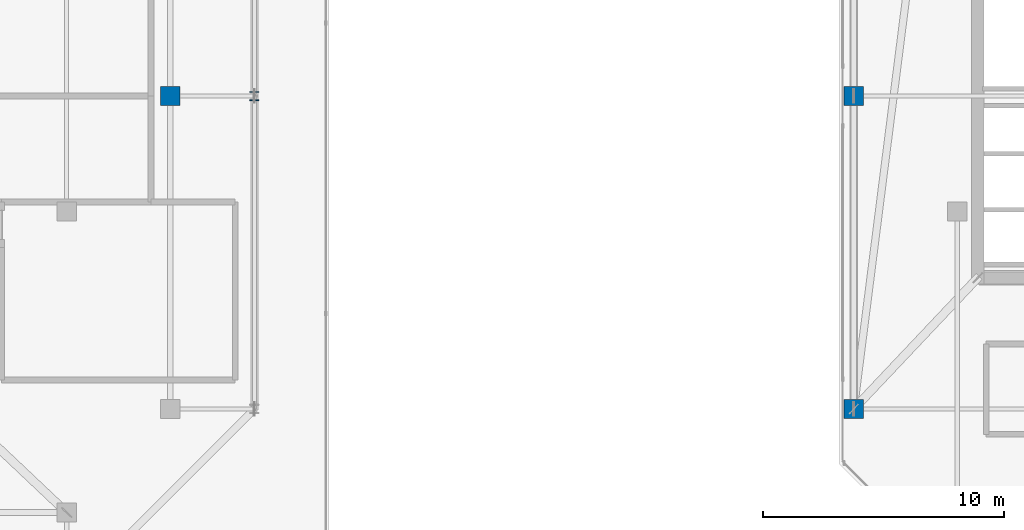
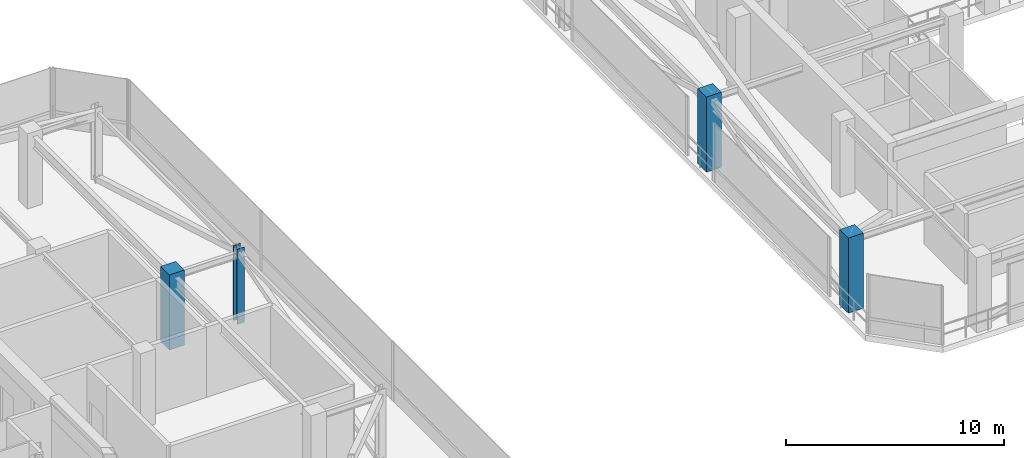
# One storey, part 2 of 47: 4 columns.
"""IFC4 building model written with IfcOpenShell, lengths in metres."""

from ifc_helpers import new_model, si_unit, direction, frame, origin, origin_2d, place, context, subcontext, project, spatial, rectangle, i_section, extrude, material, material_profile, profile_set, type_object, element, save


model = new_model("IFC4")

# Units and contexts
model_context = context("Model", 3, precision=1e-05, world=origin(), true_north=direction((0.0, 1.0)))
body_context = subcontext(model_context, "Body", "Model", "MODEL_VIEW")
ifc_project = project(units=[si_unit("LENGTHUNIT", "METRE"), si_unit("AREAUNIT", "SQUARE_METRE"), si_unit("VOLUMEUNIT", "CUBIC_METRE"), si_unit("PLANEANGLEUNIT", "RADIAN"), si_unit("MASSUNIT", "GRAM", prefix="KILO")], contexts=[model_context])

# Site, building, storey
site_placement = place(None, origin())
site = spatial("IfcSite", under=ifc_project, at=site_placement, CompositionType="ELEMENT")
building_placement = place(site_placement, origin())
building = spatial("IfcBuilding", under=site, at=building_placement, Name="Thornwick Lancets Civic Towers", CompositionType="ELEMENT")
storey_placement = place(building_placement, frame((0.0, 0.0, 279.89990234375)))
storey = spatial("IfcBuildingStorey", under=building, at=storey_placement, Name="C01", CompositionType="ELEMENT", Elevation=279.89990234375)

# Columns
ifc_material_1 = material(Name="Concrete C50/60", Category="concrete")
ifc_material_profile_1 = material_profile(ifc_material_1, rectangle(XDim=0.800048828125, YDim=0.800048828125, at=origin_2d()), Name="RC 800x800")
ifc_profile_set_1 = profile_set([ifc_material_profile_1], Name="Concrete C50/60")
column_type_1 = type_object("IfcColumnType", Name="COL_RC_800", PredefinedType="COLUMN", material=ifc_profile_set_1)
for number, where, z_axis, x_axis, name in (
    (1, (42.800048828125, 27.0, 0.0), (0.0, 0.0, 1.0), (1.0, 0.0, 0.0), "C01 Spine Mega-Column A05"),
    (2, (71.199951171875, 14.0, 0.0), (0.0, 0.0, 1.0), (1.0, 0.0, 0.0), "C01 Spine Mega-Column B07"),
    (3, (71.199951171875, 27.0, 0.0), (0.0, 0.0, 1.0), (1.0, 0.0, 0.0), "C01 Spine Mega-Column B08"),
):
    element("IfcColumn", number, at=place(storey_placement, frame(where, z_axis=z_axis, x_axis=x_axis)), inside=storey, type_object=column_type_1, Name=name, PredefinedType="COLUMN", context=body_context, shape_type="SweptSolid", body=[
        extrude(rectangle(XDim=0.800048828125, YDim=0.800048828125, at=origin_2d()), origin(), (0.0, 0.0, 1.0), 4.2001953125),
    ])
ifc_material_2 = material(Name="Steel S355JR", Category="steel")
ifc_material_profile_2 = material_profile(ifc_material_2, i_section(OverallWidth=0.374755859375, OverallDepth=0.37451171875, WebThickness=0.0166015625, FlangeThickness=0.027099609375, FilletRadius=0.01513671875, at=origin_2d()), Name="UKC 356x368x202")
ifc_profile_set_2 = profile_set([ifc_material_profile_2], Name="Steel S355JR")
column_type_2 = type_object("IfcColumnType", Name="COL_UKC_202", PredefinedType="COLUMN", material=ifc_profile_set_2)
column_placement = place(storey_placement, frame((46.300048828125, 27.0, 0.0), z_axis=(0.0, 0.0, 1.0), x_axis=(1.0, 0.0, 0.0)))
element("IfcColumn", 4, at=column_placement, inside=storey, type_object=column_type_2, Name="C01 Block Perimeter Column A05", PredefinedType="COLUMN", context=body_context, shape_type="SweptSolid", body=[
    extrude(i_section(OverallWidth=0.374755859375, OverallDepth=0.37451171875, WebThickness=0.0166015625, FlangeThickness=0.027099609375, FilletRadius=0.01513671875, at=origin_2d()), origin(), (0.0, 0.0, 1.0), 4.2001953125),
])

save(model, "model.ifc")
